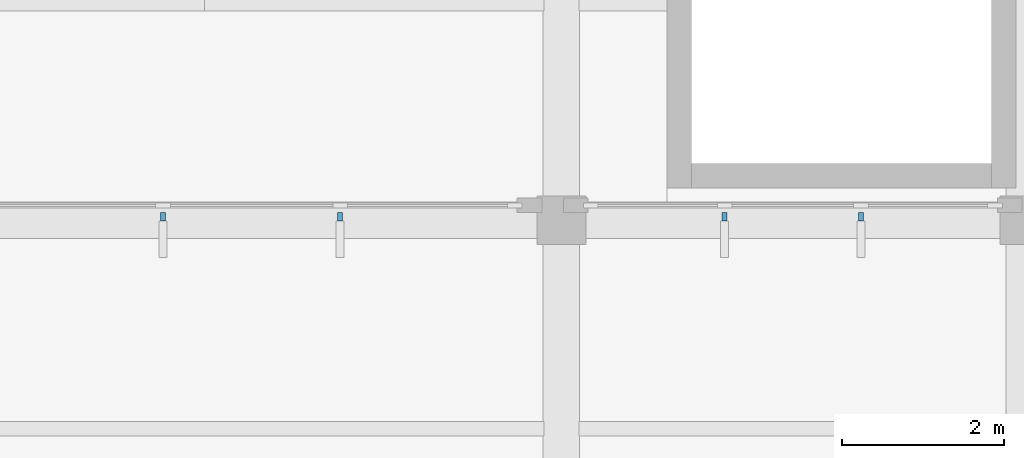
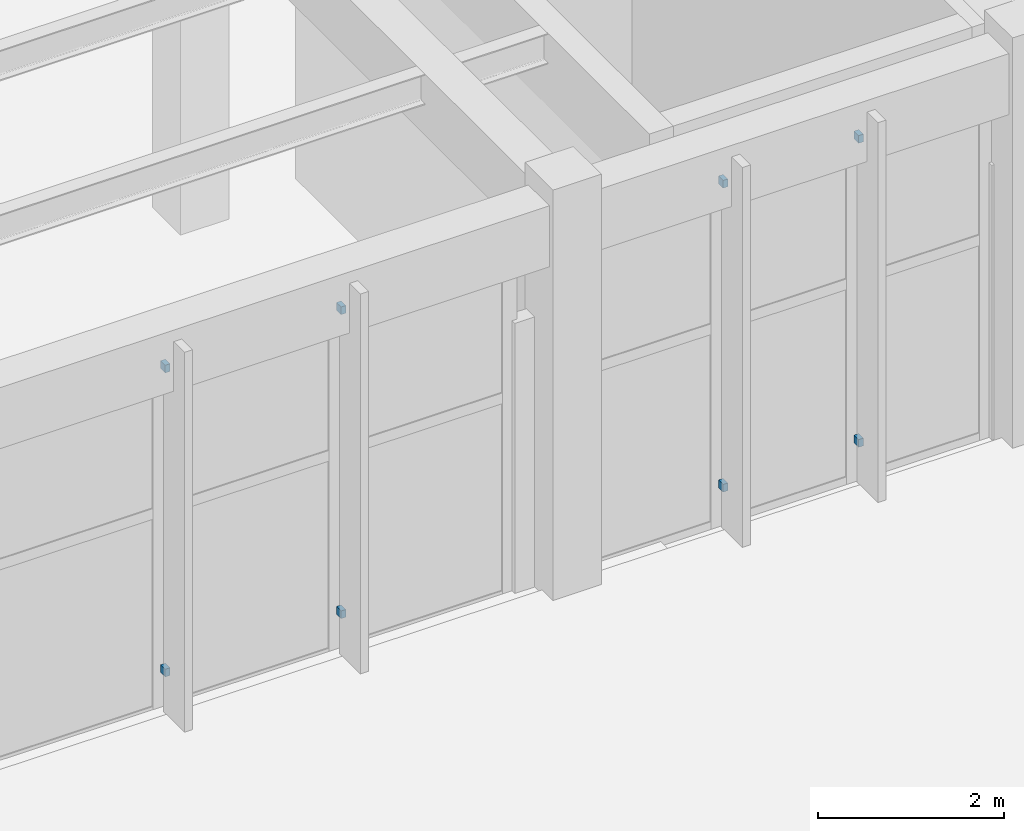
# One storey, part 76 of 94: 8 discrete accessories.
"""IFC4 building model written with IfcOpenShell, lengths in metres."""

from ifc_helpers import new_model, si_unit, direction, frame, origin, origin_2d, place, context, subcontext, project, spatial, rectangle, extrude, material, type_object, element, save


model = new_model("IFC4")

# Units and contexts
model_context = context("Model", 3, precision=1e-05, world=origin(), true_north=direction((0.0, 1.0)))
body_context = subcontext(model_context, "Body", "Model", "MODEL_VIEW")
ifc_project = project(units=[si_unit("LENGTHUNIT", "METRE"), si_unit("AREAUNIT", "SQUARE_METRE"), si_unit("VOLUMEUNIT", "CUBIC_METRE"), si_unit("PLANEANGLEUNIT", "RADIAN"), si_unit("MASSUNIT", "GRAM", prefix="KILO")], contexts=[model_context])

# Site, building, storey
site_placement = place(None, origin())
site = spatial("IfcSite", under=ifc_project, at=site_placement, CompositionType="ELEMENT")
building_placement = place(site_placement, origin())
building = spatial("IfcBuilding", under=site, at=building_placement, Name="Lunette Opera House", CompositionType="ELEMENT")
storey_placement = place(building_placement, frame((0.0, 0.0, 22.5)))
storey = spatial("IfcBuildingStorey", under=building, at=storey_placement, Name="L04", CompositionType="ELEMENT", Elevation=22.5)

# Discrete accessories
ifc_material = material(Name="Galvanised steel", Category="steel")
discrete_accessory_type = type_object("IfcDiscreteAccessoryType", Name="FIN BRACKET STEEL", PredefinedType="BRACKET", material=ifc_material)
for number, where, z_axis, x_axis, name in (
    (1, (43.092041015625, 72.04296875, 0.56494140625), (0.0, 0.0, 1.0), (0.0, -1.0, 0.0), "Fin bracket RW-X2059 1 1"),
    (2, (43.092041015625, 72.04296875, 4.550048828125), (0.0, 0.0, 1.0), (0.0, -1.0, 0.0), "Fin bracket RW-X2059 1 2"),
    (3, (45.27294921875, 72.04296875, 0.56494140625), (0.0, 0.0, 1.0), (0.0, -1.0, 0.0), "Fin bracket RW-X2059 2 1"),
    (4, (45.27294921875, 72.04296875, 4.550048828125), (0.0, 0.0, 1.0), (0.0, -1.0, 0.0), "Fin bracket RW-X2059 2 2"),
    (5, (50.010009765625, 72.04296875, 0.56494140625), (0.0, 0.0, 1.0), (0.0, -1.0, 0.0), "Fin bracket RW-X2060 1 1"),
    (6, (50.010009765625, 72.04296875, 4.550048828125), (0.0, 0.0, 1.0), (0.0, -1.0, 0.0), "Fin bracket RW-X2060 1 2"),
    (7, (51.68994140625, 72.04296875, 0.56494140625), (0.0, 0.0, 1.0), (0.0, -1.0, 0.0), "Fin bracket RW-X2060 2 1"),
    (8, (51.68994140625, 72.04296875, 4.550048828125), (0.0, 0.0, 1.0), (0.0, -1.0, 0.0), "Fin bracket RW-X2060 2 2"),
):
    element("IfcDiscreteAccessory", number, at=place(storey_placement, frame(where, z_axis=z_axis, x_axis=x_axis)), inside=storey, type_object=discrete_accessory_type, Name=name, PredefinedType="BRACKET", context=body_context, shape_type="SweptSolid", body=[
        extrude(rectangle(XDim=0.10009765625, YDim=0.06005859375, at=origin_2d()), origin(), (0.0, 0.0, 1.0), 0.10009765625),
    ])

save(model, "model.ifc")
